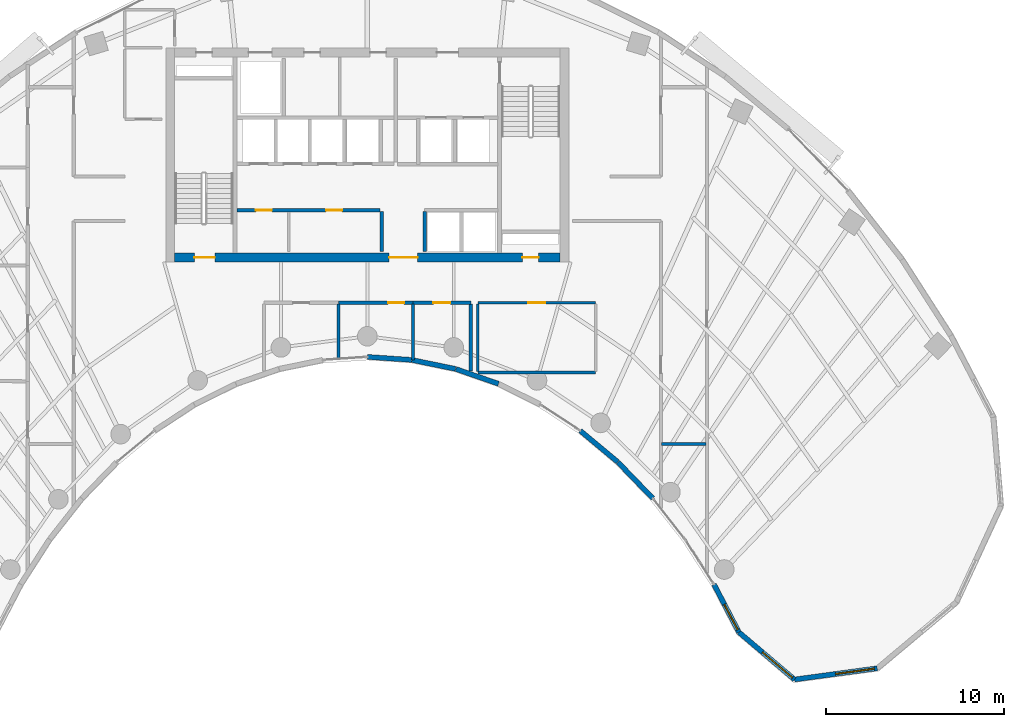
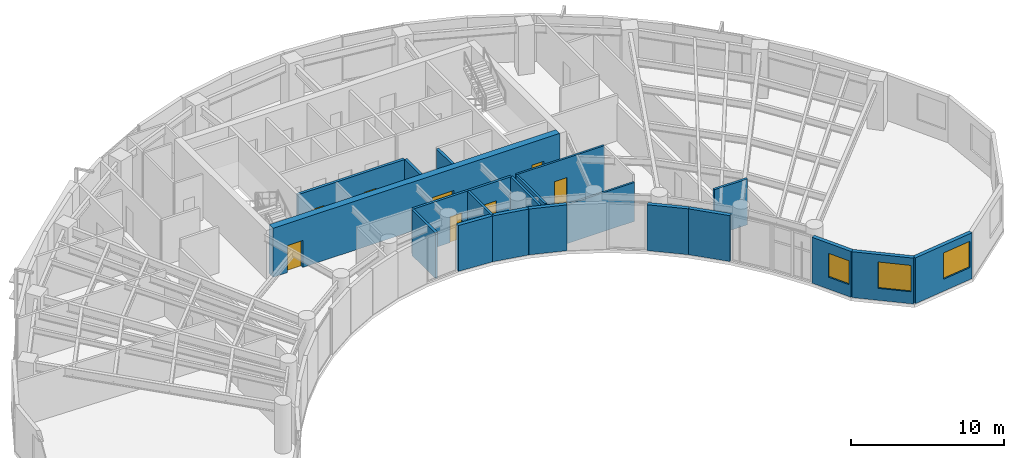
# One storey, part 8 of 13: 21 walls, 8 doors, 3 windows, 11 openings.
"""IFC4 building model written with IfcOpenShell, lengths in metres."""

from ifc_helpers import new_model, si_unit, direction, frame, frame_2d, origin, place, context, subcontext, project, spatial, rectangle, extrude, source, transform, mapped, material, layer, layer_set, type_object, type_shapes, element, fill, save


model = new_model("IFC4")

# Units and contexts
model_context = context("Model", 3, precision=1e-05, world=origin(), true_north=direction((0.0, 1.0)))
body_context = subcontext(model_context, "Body", "Model", "MODEL_VIEW")
ifc_project = project(units=[si_unit("LENGTHUNIT", "METRE"), si_unit("AREAUNIT", "SQUARE_METRE"), si_unit("VOLUMEUNIT", "CUBIC_METRE"), si_unit("PLANEANGLEUNIT", "RADIAN"), si_unit("MASSUNIT", "GRAM", prefix="KILO")], contexts=[model_context])

# Site, building, storey
site_placement = place(None, origin())
site = spatial("IfcSite", under=ifc_project, at=site_placement, CompositionType="ELEMENT")
building_placement = place(site_placement, origin())
building = spatial("IfcBuilding", under=site, at=building_placement, Name="Breltana Convention Tower", CompositionType="ELEMENT")
storey_placement = place(building_placement, frame((0.0, 0.0, 166.199951171875)))
storey = spatial("IfcBuildingStorey", under=building, at=storey_placement, Name="L40", CompositionType="ELEMENT", Elevation=166.199951171875)

# Wall, openings, doors
ifc_material_1 = material(Name="Concrete C60/75", Category="concrete")
ifc_layer_1 = layer(ifc_material_1, 0.5, Name="Concrete C60/75")
ifc_layer_set_1 = layer_set([ifc_layer_1], Name="Concrete C60/75")
wall_type_1 = type_object("IfcWallType", Name="SW-CORE-500", PredefinedType="SHEAR", material=ifc_layer_set_1)
shared_shape_1 = source(origin(), body_context, "Body", "SweptSolid", [
    extrude(rectangle(XDim=21.60009765625, YDim=0.5, at=frame_2d((10.800048828125, 0.0))), origin(), (0.0, 0.0, 1.0), 3.900146484375),
])
wall_1_placement = place(storey_placement, frame((37.199951171875, 60.449951171875, 0.0), z_axis=(0.0, 0.0, 1.0), x_axis=(1.0, 0.0, 0.0)))
wall_1 = element("IfcWall", 1, at=wall_1_placement, inside=storey, type_object=wall_type_1, Name="L40 South Core Shear Wall", PredefinedType="SHEAR", context=body_context, shape_type="MappedRepresentation", body=[
    mapped(shared_shape_1, transform((0.0, 0.0, 0.0), scale=1.0)),
])
opening_1_placement = place(wall_1_placement, frame((1.10009765625, 0.0, 0.0)))
opening_1 = element("IfcOpeningElement", 2, at=opening_1_placement, cuts=wall_1, Name="Opening D-11", PredefinedType="OPENING", context=body_context, shape_type="SweptSolid", body=[
    extrude(rectangle(XDim=1.14990234375, YDim=2.14990234375, at=frame_2d((0.574951171875, 1.074951171875))), frame((0.0, 0.260009765625, 0.0), z_axis=(0.0, -1.0, 0.0), x_axis=(1.0, 0.0, 0.0)), (0.0, 0.0, 1.0), 0.52001953125),
])
opening_2_placement = place(wall_1_placement, frame((19.5, 0.0, 0.0)))
opening_2 = element("IfcOpeningElement", 3, at=opening_2_placement, cuts=wall_1, Name="Opening D-18", PredefinedType="OPENING", context=body_context, shape_type="SweptSolid", body=[
    extrude(rectangle(XDim=0.89990234375, YDim=2.10009765625, at=frame_2d((0.449951171875, 1.050048828125))), frame((0.0, 0.260009765625, 0.0), z_axis=(0.0, -1.0, 0.0), x_axis=(1.0, 0.0, 0.0)), (0.0, 0.0, 1.0), 0.52001953125),
])
opening_3_placement = place(wall_1_placement, frame((12.02001953125, 0.0, 0.0)))
opening_3 = element("IfcOpeningElement", 4, at=opening_3_placement, cuts=wall_1, Name="Opening D-02", PredefinedType="OPENING", context=body_context, shape_type="SweptSolid", body=[
    extrude(rectangle(XDim=1.60009765625, YDim=2.14990234375, at=frame_2d((0.800048828125, 1.074951171875))), frame((0.0, 0.260009765625, 0.0), z_axis=(0.0, -1.0, 0.0), x_axis=(1.0, 0.0, 0.0)), (0.0, 0.0, 1.0), 0.52001953125),
])
ifc_material_2 = material(Name="Steel Stair Exit Door", Category="steel")
door_type_1 = type_object("IfcDoorType", Name="DR-FD120-1150", OperationType="NOTDEFINED", PredefinedType="DOOR", material=ifc_material_2)
shared_shape_2 = source(origin(), body_context, "Body", "SweptSolid", [
    extrude(rectangle(XDim=1.14990234375, YDim=2.14990234375, at=frame_2d((0.574951171875, 1.074951171875))), frame((0.0, 0.02490234375, 0.0), z_axis=(0.0, -1.0, 0.0), x_axis=(1.0, 0.0, 0.0)), (0.0, 0.0, 1.0), 0.050048828125),
])
type_shapes(door_type_1, [shared_shape_2])
door_1_placement = place(opening_1_placement, origin())
door_1 = element("IfcDoor", 5, at=door_1_placement, inside=storey, type_object=door_type_1, Name="L40 interior door D-L40-ST1", OperationType="SINGLE_SWING_LEFT", OverallHeight=2.14990234375, OverallWidth=1.14990234375, PredefinedType="DOOR", context=body_context, shape_type="MappedRepresentation", body=[
    mapped(shared_shape_2, transform((0.0, 0.0, 0.0), scale=1.0)),
])
fill(opening_1, door_1)
ifc_material_3 = material(Name="Steel Riser Fire Door", Category="steel")
door_type_2 = type_object("IfcDoorType", Name="DR-FD60-900", OperationType="NOTDEFINED", PredefinedType="DOOR", material=ifc_material_3)
shared_shape_3 = source(origin(), body_context, "Body", "SweptSolid", [
    extrude(rectangle(XDim=0.89990234375, YDim=2.10009765625, at=frame_2d((0.449951171875, 1.050048828125))), frame((0.0, 0.02490234375, 0.0), z_axis=(0.0, -1.0, 0.0), x_axis=(1.0, 0.0, 0.0)), (0.0, 0.0, 1.0), 0.050048828125),
])
type_shapes(door_type_2, [shared_shape_3])
door_2_placement = place(opening_2_placement, origin())
door_2 = element("IfcDoor", 6, at=door_2_placement, inside=storey, type_object=door_type_2, Name="L40 Core Riser Access Door D-L40-RS2", OperationType="SINGLE_SWING_RIGHT", OverallHeight=2.10009765625, OverallWidth=0.89990234375, PredefinedType="DOOR", context=body_context, shape_type="MappedRepresentation", body=[
    mapped(shared_shape_3, transform((0.0, 0.0, 0.0), scale=1.0)),
])
fill(opening_2, door_2)
ifc_material_4 = material(Name="Steel Glazed Smoke-Control Door", Category="steel")
door_type_3 = type_object("IfcDoorType", Name="DR-DBL-FD90-1600", OperationType="DOUBLE_DOOR_SINGLE_SWING", PredefinedType="DOOR", material=ifc_material_4)
shared_shape_4 = source(origin(), body_context, "Body", "SweptSolid", [
    extrude(rectangle(XDim=1.60009765625, YDim=2.14990234375, at=frame_2d((0.800048828125, 1.074951171875))), frame((0.0, 0.02490234375, 0.0), z_axis=(0.0, -1.0, 0.0), x_axis=(1.0, 0.0, 0.0)), (0.0, 0.0, 1.0), 0.050048828125),
])
type_shapes(door_type_3, [shared_shape_4])
door_3_placement = place(opening_3_placement, origin())
door_3 = element("IfcDoor", 7, at=door_3_placement, inside=storey, type_object=door_type_3, Name="L40 interior door D-L40-LLB-S", OperationType="DOUBLE_DOOR_SINGLE_SWING", OverallHeight=2.14990234375, OverallWidth=1.60009765625, PredefinedType="DOOR", context=body_context, shape_type="MappedRepresentation", body=[
    mapped(shared_shape_4, transform((0.0, 0.0, 0.0), scale=1.0)),
])
fill(opening_3, door_3)

# Wall, opening, window
ifc_material_5 = material(Name="Limestone Buff Insulated Wall", Category="masonry")
ifc_layer_2 = layer(ifc_material_5, 0.280029296875, Name="Limestone Buff Insulated Wall")
ifc_layer_set_2 = layer_set([ifc_layer_2], Name="Limestone Buff Insulated Wall")
wall_type_2 = type_object("IfcWallType", Name="WL-EXT-NOSE-280", PredefinedType="SOLIDWALL", material=ifc_layer_set_2)
shared_shape_5 = source(origin(), body_context, "Body", "SweptSolid", [
    extrude(rectangle(XDim=4.680419921875, YDim=0.280029296875, at=frame_2d((2.34033203125, 0.0))), origin(), (0.0, 0.0, 1.0), 3.650146484375),
])
wall_2_placement = place(storey_placement, frame((76.594482421875, 37.41650390625, 0.0), z_axis=(0.0, 0.0, 1.0), x_axis=(-0.990931146435, -0.134370618162, 0.0)))
wall_2 = element("IfcWall", 8, at=wall_2_placement, inside=storey, type_object=wall_type_2, Name="L40 curved limestone nose wall E4", PredefinedType="SOLIDWALL", context=body_context, shape_type="MappedRepresentation", body=[
    mapped(shared_shape_5, transform((0.0, 0.0, 0.0), scale=1.0)),
])
opening_4_placement = place(wall_2_placement, frame((0.159912109375, 0.0, 0.949951171875)))
opening_4 = element("IfcOpeningElement", 9, at=opening_4_placement, cuts=wall_2, Name="Opening W-03", PredefinedType="OPENING", context=body_context, shape_type="SweptSolid", body=[
    extrude(rectangle(XDim=2.199951171875, YDim=2.10009765625, at=frame_2d((1.10009765625, 1.050048828125))), frame((0.0, 0.14990234375, 0.0), z_axis=(0.0, -1.0, 0.0), x_axis=(1.0, 0.0, 0.0)), (0.0, 0.0, 1.0), 0.300048828125),
])
ifc_material_6 = material(Name="Glass Low-E Insulated Window", Category="glass")
window_type_1 = type_object("IfcWindowType", Name="WN-NOSE-2200X2100", PartitioningType="TRIPLE_PANEL_VERTICAL", PredefinedType="WINDOW", material=ifc_material_6)
shared_shape_6 = source(origin(), body_context, "Body", "SweptSolid", [
    extrude(rectangle(XDim=2.199951171875, YDim=2.10009765625, at=frame_2d((1.10009765625, 1.050048828125))), frame((0.0, 0.030029296875, 0.0), z_axis=(0.0, -1.0, 0.0), x_axis=(1.0, 0.0, 0.0)), (0.0, 0.0, 1.0), 0.06005859375),
])
type_shapes(window_type_1, [shared_shape_6])
window_1_placement = place(opening_4_placement, origin())
window_1 = element("IfcWindow", 10, at=window_1_placement, inside=storey, type_object=window_type_1, Name="L40 nose window E4", OverallHeight=2.10009765625, OverallWidth=2.199951171875, PartitioningType="TRIPLE_PANEL_VERTICAL", PredefinedType="WINDOW", context=body_context, shape_type="MappedRepresentation", body=[
    mapped(shared_shape_6, transform((0.0, 0.0, 0.0), scale=1.0)),
])
fill(opening_4, window_1)

shared_shape_7 = source(origin(), body_context, "Body", "SweptSolid", [
    extrude(rectangle(XDim=4.095947265625, YDim=0.280029296875, at=frame_2d((2.0478515625, 0.0))), origin(), (0.0, 0.0, 1.0), 3.650146484375),
])
wall_3_placement = place(storey_placement, frame((71.95654296875, 36.78759765625, 0.0), z_axis=(0.0, 0.0, 1.0), x_axis=(-0.761926081737, 0.647663991564, 0.0)))
wall_3 = element("IfcWall", 11, at=wall_3_placement, inside=storey, type_object=wall_type_2, Name="L40 curved limestone nose wall E5", PredefinedType="SOLIDWALL", context=body_context, shape_type="MappedRepresentation", body=[
    mapped(shared_shape_7, transform((0.0, 0.0, 0.0), scale=1.0)),
])
opening_5_placement = place(wall_3_placement, frame((0.159912109375, 0.0, 0.949951171875)))
opening_5 = element("IfcOpeningElement", 12, at=opening_5_placement, cuts=wall_3, Name="Opening W-03", PredefinedType="OPENING", context=body_context, shape_type="SweptSolid", body=[
    extrude(rectangle(XDim=2.199951171875, YDim=2.10009765625, at=frame_2d((1.10009765625, 1.050048828125))), frame((0.0, 0.14990234375, 0.0), z_axis=(0.0, -1.0, 0.0), x_axis=(1.0, 0.0, 0.0)), (0.0, 0.0, 1.0), 0.300048828125),
])
window_2_placement = place(opening_5_placement, origin())
window_2 = element("IfcWindow", 13, at=window_2_placement, inside=storey, type_object=window_type_1, Name="L40 nose window E5", OverallHeight=2.10009765625, OverallWidth=2.199951171875, PartitioningType="TRIPLE_PANEL_VERTICAL", PredefinedType="WINDOW", context=body_context, shape_type="MappedRepresentation", body=[
    mapped(shared_shape_6, transform((0.0, 0.0, 0.0), scale=1.0)),
])
fill(opening_5, window_2)

shared_shape_8 = source(origin(), body_context, "Body", "SweptSolid", [
    extrude(rectangle(XDim=3.02392578125, YDim=0.280029296875, at=frame_2d((1.511962890625, 0.0))), origin(), (0.0, 0.0, 1.0), 3.650146484375),
])
wall_4_placement = place(storey_placement, frame((68.835693359375, 39.4404296875, 0.0), z_axis=(0.0, 0.0, 1.0), x_axis=(-0.461718746531, 0.887026380161, 0.0)))
wall_4 = element("IfcWall", 14, at=wall_4_placement, inside=storey, type_object=wall_type_2, Name="L40 curved limestone nose wall E6", PredefinedType="SOLIDWALL", context=body_context, shape_type="MappedRepresentation", body=[
    mapped(shared_shape_8, transform((0.0, 0.0, 0.0), scale=1.0)),
])
opening_6_placement = place(wall_4_placement, frame((0.159912109375, 0.0, 0.949951171875)))
opening_6 = element("IfcOpeningElement", 15, at=opening_6_placement, cuts=wall_4, Name="Opening W-04", PredefinedType="OPENING", context=body_context, shape_type="SweptSolid", body=[
    extrude(rectangle(XDim=1.60009765625, YDim=1.89990234375, at=frame_2d((0.800048828125, 0.949951171875))), frame((0.0, 0.14990234375, 0.0), z_axis=(0.0, -1.0, 0.0), x_axis=(1.0, 0.0, 0.0)), (0.0, 0.0, 1.0), 0.300048828125),
])
window_type_2 = type_object("IfcWindowType", Name="WN-NOSE-1600X1900", PartitioningType="SINGLE_PANEL", PredefinedType="WINDOW", material=ifc_material_6)
shared_shape_9 = source(origin(), body_context, "Body", "SweptSolid", [
    extrude(rectangle(XDim=1.60009765625, YDim=1.89990234375, at=frame_2d((0.800048828125, 0.949951171875))), frame((0.0, 0.030029296875, 0.0), z_axis=(0.0, -1.0, 0.0), x_axis=(1.0, 0.0, 0.0)), (0.0, 0.0, 1.0), 0.06005859375),
])
type_shapes(window_type_2, [shared_shape_9])
window_3_placement = place(opening_6_placement, origin())
window_3 = element("IfcWindow", 16, at=window_3_placement, inside=storey, type_object=window_type_2, Name="L40 nose window E6", OverallHeight=1.89990234375, OverallWidth=1.60009765625, PartitioningType="SINGLE_PANEL", PredefinedType="WINDOW", context=body_context, shape_type="MappedRepresentation", body=[
    mapped(shared_shape_9, transform((0.0, 0.0, 0.0), scale=1.0)),
])
fill(opening_6, window_3)

# Walls
shared_shape_10 = source(origin(), body_context, "Body", "SweptSolid", [
    extrude(rectangle(XDim=2.812255859375, YDim=0.280029296875, at=frame_2d((1.40625, 0.0))), origin(), (0.0, 0.0, 1.0), 3.650146484375),
])
wall_5_placement = place(storey_placement, frame((64.00830078125, 46.9501953125, 0.0), z_axis=(0.0, 0.0, 1.0), x_axis=(-0.694583668785, 0.719411931411, 0.0)))
element("IfcWall", 17, at=wall_5_placement, inside=storey, type_object=wall_type_2, Name="L40 curved limestone nose wall E7", PredefinedType="SOLIDWALL", context=body_context, shape_type="MappedRepresentation", body=[
    mapped(shared_shape_10, transform((0.0, 0.0, 0.0), scale=1.0)),
])
shared_shape_11 = source(origin(), body_context, "Body", "SweptSolid", [
    extrude(rectangle(XDim=2.7294921875, YDim=0.280029296875, at=frame_2d((1.36474609375, 0.0))), origin(), (0.0, 0.0, 1.0), 3.650146484375),
])
wall_6_placement = place(storey_placement, frame((62.040771484375, 48.986572265625, 0.0), z_axis=(0.0, 0.0, 1.0), x_axis=(-0.767957284255, 0.640501061326, 0.0)))
element("IfcWall", 18, at=wall_6_placement, inside=storey, type_object=wall_type_2, Name="L40 curved limestone nose wall E8", PredefinedType="SOLIDWALL", context=body_context, shape_type="MappedRepresentation", body=[
    mapped(shared_shape_11, transform((0.0, 0.0, 0.0), scale=1.0)),
])
shared_shape_12 = source(origin(), body_context, "Body", "SweptSolid", [
    extrude(rectangle(XDim=2.52978515625, YDim=0.280029296875, at=frame_2d((1.264892578125, 0.0))), origin(), (0.0, 0.0, 1.0), 3.650146484375),
])
wall_7_placement = place(storey_placement, frame((55.35546875, 53.369873046875, 0.0), z_axis=(0.0, 0.0, 1.0), x_axis=(-0.944872429646, 0.327438683872, 0.0)))
element("IfcWall", 19, at=wall_7_placement, inside=storey, type_object=wall_type_2, Name="L40 curved limestone nose wall E10", PredefinedType="SOLIDWALL", context=body_context, shape_type="MappedRepresentation", body=[
    mapped(shared_shape_12, transform((0.0, 0.0, 0.0), scale=1.0)),
])
shared_shape_13 = source(origin(), body_context, "Body", "SweptSolid", [
    extrude(rectangle(XDim=2.4912109375, YDim=0.280029296875, at=frame_2d((1.24560546875, 0.0))), origin(), (0.0, 0.0, 1.0), 3.650146484375),
])
wall_8_placement = place(storey_placement, frame((52.9423828125, 54.20458984375, 0.0), z_axis=(0.0, 0.0, 1.0), x_axis=(-0.979630885979, 0.200806691214, 0.0)))
element("IfcWall", 20, at=wall_8_placement, inside=storey, type_object=wall_type_2, Name="L40 curved limestone nose wall E11", PredefinedType="SOLIDWALL", context=body_context, shape_type="MappedRepresentation", body=[
    mapped(shared_shape_13, transform((0.0, 0.0, 0.0), scale=1.0)),
])
shared_shape_14 = source(origin(), body_context, "Body", "SweptSolid", [
    extrude(rectangle(XDim=2.471435546875, YDim=0.280029296875, at=frame_2d((1.23583984375, 0.0))), origin(), (0.0, 0.0, 1.0), 3.650146484375),
])
wall_9_placement = place(storey_placement, frame((50.47802734375, 54.708251953125, 0.0), z_axis=(0.0, 0.0, 1.0), x_axis=(-0.997708006929, 0.067666335123, 0.0)))
element("IfcWall", 21, at=wall_9_placement, inside=storey, type_object=wall_type_2, Name="L40 curved limestone nose wall E12", PredefinedType="SOLIDWALL", context=body_context, shape_type="MappedRepresentation", body=[
    mapped(shared_shape_14, transform((0.0, 0.0, 0.0), scale=1.0)),
])
ifc_material_7 = material(Name="Gypsum Acoustic Drywall Partition")
ifc_layer_3 = layer(ifc_material_7, 0.14990234375, Name="Gypsum Acoustic Drywall Partition")
ifc_layer_set_3 = layer_set([ifc_layer_3], Name="Gypsum Acoustic Drywall Partition")
wall_type_3 = type_object("IfcWallType", Name="WL-PART-150", PredefinedType="PARTITIONING", material=ifc_layer_set_3)
shared_shape_15 = source(origin(), body_context, "Body", "SweptSolid", [
    extrude(rectangle(XDim=6.60009765625, YDim=0.14990234375, at=frame_2d((3.300048828125, 0.0))), origin(), (0.0, 0.0, 1.0), 3.094970703125),
])
wall_10_placement = place(storey_placement, frame((54.199951171875, 54.0, 0.0), z_axis=(0.0, 0.0, 1.0), x_axis=(1.0, 0.0, 0.0)))
element("IfcWall", 22, at=wall_10_placement, inside=storey, type_object=wall_type_3, Name="L40 interior partition W-L40-PNT-S", PredefinedType="PARTITIONING", context=body_context, shape_type="MappedRepresentation", body=[
    mapped(shared_shape_15, transform((0.0, 0.0, 0.0), scale=1.0)),
])
ifc_material_8 = material(Name="Autoclaved Aerated Concrete Block", Category="concrete")
ifc_layer_4 = layer(ifc_material_8, 0.199951171875, Name="Autoclaved Aerated Concrete Block")
ifc_layer_set_4 = layer_set([ifc_layer_4], Name="Autoclaved Aerated Concrete Block")
wall_type_4 = type_object("IfcWallType", Name="WL-SHAFT-200", PredefinedType="SOLIDWALL", material=ifc_layer_set_4)
shared_shape_16 = source(origin(), body_context, "Body", "SweptSolid", [
    extrude(rectangle(XDim=2.239990234375, YDim=0.199951171875, at=frame_2d((1.1201171875, 0.0))), origin(), (0.0, 0.0, 1.0), 3.650146484375),
])
for number, where, z_axis, x_axis, name in (
    (23, (48.820068359375, 60.780029296875, 0.0), (0.0, 0.0, 1.0), (0.0, 1.0, 0.0), "L40 interior partition W-L40-PORT-W"),
    (24, (51.219970703125, 60.780029296875, 0.0), (0.0, 0.0, 1.0), (0.0, 1.0, 0.0), "L40 interior partition W-L40-PORT-E"),
):
    element("IfcWall", number, at=place(storey_placement, frame(where, z_axis=z_axis, x_axis=x_axis)), inside=storey, type_object=wall_type_4, Name=name, PredefinedType="SOLIDWALL", context=body_context, shape_type="MappedRepresentation", body=[
        mapped(shared_shape_16, transform((0.0, 0.0, 0.0), scale=1.0)),
    ])

# Wall, openings, doors
shared_shape_17 = source(origin(), body_context, "Body", "SweptSolid", [
    extrude(rectangle(XDim=8.02001953125, YDim=0.199951171875, at=frame_2d((4.010009765625, 0.0))), origin(), (0.0, 0.0, 1.0), 3.650146484375),
])
wall_11_placement = place(storey_placement, frame((40.699951171875, 63.10009765625, 0.0), z_axis=(0.0, 0.0, 1.0), x_axis=(1.0, 0.0, 0.0)))
wall_11 = element("IfcWall", 25, at=wall_11_placement, inside=storey, type_object=wall_type_4, Name="L40 interior partition W-L40-SH-S-FRONT", PredefinedType="SOLIDWALL", context=body_context, shape_type="MappedRepresentation", body=[
    mapped(shared_shape_17, transform((0.0, 0.0, 0.0), scale=1.0)),
])
opening_7_placement = place(wall_11_placement, frame((1.050048828125, 0.0, 0.0)))
opening_7 = element("IfcOpeningElement", 26, at=opening_7_placement, cuts=wall_11, Name="Opening D-18", PredefinedType="OPENING", context=body_context, shape_type="SweptSolid", body=[
    extrude(rectangle(XDim=0.89990234375, YDim=2.10009765625, at=frame_2d((0.449951171875, 1.050048828125))), frame((0.0, 0.10986328125, 0.0), z_axis=(0.0, -1.0, 0.0), x_axis=(1.0, 0.0, 0.0)), (0.0, 0.0, 1.0), 0.219970703125),
])
opening_8_placement = place(wall_11_placement, frame((4.989990234375, 0.0, 0.0)))
opening_8 = element("IfcOpeningElement", 27, at=opening_8_placement, cuts=wall_11, Name="Opening D-18", PredefinedType="OPENING", context=body_context, shape_type="SweptSolid", body=[
    extrude(rectangle(XDim=0.89990234375, YDim=2.10009765625, at=frame_2d((0.449951171875, 1.050048828125))), frame((0.0, 0.10986328125, 0.0), z_axis=(0.0, -1.0, 0.0), x_axis=(1.0, 0.0, 0.0)), (0.0, 0.0, 1.0), 0.219970703125),
])
door_4_placement = place(opening_7_placement, origin())
door_4 = element("IfcDoor", 28, at=door_4_placement, inside=storey, type_object=door_type_2, Name="L40 interior door D-L40-LV7-B1A", OperationType="SINGLE_SWING_RIGHT", OverallHeight=2.10009765625, OverallWidth=0.89990234375, PredefinedType="DOOR", context=body_context, shape_type="MappedRepresentation", body=[
    mapped(shared_shape_3, transform((0.0, 0.0, 0.0), scale=1.0)),
])
fill(opening_7, door_4)
door_5_placement = place(opening_8_placement, origin())
door_5 = element("IfcDoor", 29, at=door_5_placement, inside=storey, type_object=door_type_2, Name="L40 interior door D-L40-LV7-B1B", OperationType="SINGLE_SWING_LEFT", OverallHeight=2.10009765625, OverallWidth=0.89990234375, PredefinedType="DOOR", context=body_context, shape_type="MappedRepresentation", body=[
    mapped(shared_shape_3, transform((0.0, 0.0, 0.0), scale=1.0)),
])
fill(opening_8, door_5)

# Wall, opening, door
ifc_material_9 = material(Name="Moisture-Resistant Gypsum Chase Wall")
ifc_layer_5 = layer(ifc_material_9, 0.179931640625, Name="Moisture-Resistant Gypsum Chase Wall")
ifc_layer_set_5 = layer_set([ifc_layer_5], Name="Moisture-Resistant Gypsum Chase Wall")
wall_type_5 = type_object("IfcWallType", Name="WL-PLUMB-180", PredefinedType="PLUMBINGWALL", material=ifc_layer_set_5)
shared_shape_18 = source(origin(), body_context, "Body", "SweptSolid", [
    extrude(rectangle(XDim=4.176025390625, YDim=0.179931640625, at=frame_2d((2.087890625, 0.0))), origin(), (0.0, 0.0, 1.0), 3.650146484375),
])
wall_12_placement = place(storey_placement, frame((46.3759765625, 57.919921875, 0.0), z_axis=(0.0, 0.0, 1.0), x_axis=(1.0, 0.0, 0.0)))
wall_12 = element("IfcWall", 30, at=wall_12_placement, inside=storey, type_object=wall_type_5, Name="L40 interior partition W-L40-WCF-N", PredefinedType="PLUMBINGWALL", context=body_context, shape_type="MappedRepresentation", body=[
    mapped(shared_shape_18, transform((0.0, 0.0, 0.0), scale=1.0)),
])
opening_9_placement = place(wall_12_placement, frame((2.7880859375, 0.0, 0.0)))
opening_9 = element("IfcOpeningElement", 31, at=opening_9_placement, cuts=wall_12, Name="Opening D-19", PredefinedType="OPENING", context=body_context, shape_type="SweptSolid", body=[
    extrude(rectangle(XDim=0.89990234375, YDim=2.080078125, at=frame_2d((0.449951171875, 1.0400390625))), frame((0.0, 0.10009765625, 0.0), z_axis=(0.0, -1.0, 0.0), x_axis=(1.0, 0.0, 0.0)), (0.0, 0.0, 1.0), 0.199951171875),
])
ifc_material_10 = material(Name="Timber Moisture-Resistant Door", Category="wood")
door_type_4 = type_object("IfcDoorType", Name="DR-WC-900", OperationType="NOTDEFINED", PredefinedType="DOOR", material=ifc_material_10)
shared_shape_19 = source(origin(), body_context, "Body", "SweptSolid", [
    extrude(rectangle(XDim=0.89990234375, YDim=2.080078125, at=frame_2d((0.449951171875, 1.0400390625))), frame((0.0, 0.02490234375, 0.0), z_axis=(0.0, -1.0, 0.0), x_axis=(1.0, 0.0, 0.0)), (0.0, 0.0, 1.0), 0.050048828125),
])
type_shapes(door_type_4, [shared_shape_19])
door_6_placement = place(opening_9_placement, origin())
door_6 = element("IfcDoor", 32, at=door_6_placement, inside=storey, type_object=door_type_4, Name="L40 interior door D-L40-WCF", OperationType="SINGLE_SWING_LEFT", OverallHeight=2.080078125, OverallWidth=0.89990234375, PredefinedType="DOOR", context=body_context, shape_type="MappedRepresentation", body=[
    mapped(shared_shape_19, transform((0.0, 0.0, 0.0), scale=1.0)),
])
fill(opening_9, door_6)

# Wall
ifc_material_11 = material(Name="Cement Board Wet-Area Partition")
ifc_layer_6 = layer(ifc_material_11, 0.175048828125, Name="Cement Board Wet-Area Partition")
ifc_layer_set_6 = layer_set([ifc_layer_6], Name="Cement Board Wet-Area Partition")
wall_type_6 = type_object("IfcWallType", Name="WL-WET-175", PredefinedType="PARTITIONING", material=ifc_layer_set_6)
shared_shape_20 = source(origin(), body_context, "Body", "SweptSolid", [
    extrude(rectangle(XDim=3.7626953125, YDim=0.175048828125, at=frame_2d((1.88134765625, 0.0))), origin(), (0.0, 0.0, 1.0), 3.650146484375),
])
wall_13_placement = place(storey_placement, frame((53.800048828125, 54.07861328125, 0.0), z_axis=(0.0, 0.0, 1.0), x_axis=(0.0, 1.0, 0.0)))
element("IfcWall", 33, at=wall_13_placement, inside=storey, type_object=wall_type_6, Name="L40 interior partition W-L40-WCA-E", PredefinedType="PARTITIONING", context=body_context, shape_type="MappedRepresentation", body=[
    mapped(shared_shape_20, transform((0.0, 0.0, 0.0), scale=1.0)),
])

# Wall, opening, door
shared_shape_21 = source(origin(), body_context, "Body", "SweptSolid", [
    extrude(rectangle(XDim=3.248046875, YDim=0.179931640625, at=frame_2d((1.6240234375, 0.0))), origin(), (0.0, 0.0, 1.0), 3.650146484375),
])
wall_14_placement = place(storey_placement, frame((50.552001953125, 57.919921875, 0.0), z_axis=(0.0, 0.0, 1.0), x_axis=(1.0, 0.0, 0.0)))
wall_14 = element("IfcWall", 34, at=wall_14_placement, inside=storey, type_object=wall_type_5, Name="L40 interior partition W-L40-WCA-N", PredefinedType="PLUMBINGWALL", context=body_context, shape_type="MappedRepresentation", body=[
    mapped(shared_shape_21, transform((0.0, 0.0, 0.0), scale=1.0)),
])
opening_10_placement = place(wall_14_placement, frame((1.14892578125, 0.0, 0.0)))
opening_10 = element("IfcOpeningElement", 35, at=opening_10_placement, cuts=wall_14, Name="Opening D-16", PredefinedType="OPENING", context=body_context, shape_type="SweptSolid", body=[
    extrude(rectangle(XDim=0.949951171875, YDim=2.1201171875, at=frame_2d((0.47509765625, 1.06005859375))), frame((0.0, 0.10009765625, 0.0), z_axis=(0.0, -1.0, 0.0), x_axis=(1.0, 0.0, 0.0)), (0.0, 0.0, 1.0), 0.199951171875),
])
ifc_material_12 = material(Name="Timber Laminate Accessible Door", Category="wood")
door_type_5 = type_object("IfcDoorType", Name="DR-ACC-950", OperationType="NOTDEFINED", PredefinedType="DOOR", material=ifc_material_12)
shared_shape_22 = source(origin(), body_context, "Body", "SweptSolid", [
    extrude(rectangle(XDim=0.949951171875, YDim=2.1201171875, at=frame_2d((0.47509765625, 1.06005859375))), frame((0.0, 0.02490234375, 0.0), z_axis=(0.0, -1.0, 0.0), x_axis=(1.0, 0.0, 0.0)), (0.0, 0.0, 1.0), 0.050048828125),
])
type_shapes(door_type_5, [shared_shape_22])
door_7_placement = place(opening_10_placement, origin())
door_7 = element("IfcDoor", 36, at=door_7_placement, inside=storey, type_object=door_type_5, Name="L40 interior door D-L40-WCA", OperationType="SINGLE_SWING_RIGHT", OverallHeight=2.1201171875, OverallWidth=0.949951171875, PredefinedType="DOOR", context=body_context, shape_type="MappedRepresentation", body=[
    mapped(shared_shape_22, transform((0.0, 0.0, 0.0), scale=1.0)),
])
fill(opening_10, door_7)

shared_shape_23 = source(origin(), body_context, "Body", "SweptSolid", [
    extrude(rectangle(XDim=6.60009765625, YDim=0.14990234375, at=frame_2d((3.300048828125, 0.0))), origin(), (0.0, 0.0, 1.0), 3.650146484375),
])
wall_15_placement = place(storey_placement, frame((54.199951171875, 57.919921875, 0.0), z_axis=(0.0, 0.0, 1.0), x_axis=(1.0, 0.0, 0.0)))
wall_15 = element("IfcWall", 37, at=wall_15_placement, inside=storey, type_object=wall_type_3, Name="L40 interior partition W-L40-PNT-N", PredefinedType="PARTITIONING", context=body_context, shape_type="MappedRepresentation", body=[
    mapped(shared_shape_23, transform((0.0, 0.0, 0.0), scale=1.0)),
])
opening_11_placement = place(wall_15_placement, frame((2.824951171875, 0.0, 0.0)))
opening_11 = element("IfcOpeningElement", 38, at=opening_11_placement, cuts=wall_15, Name="Opening D-17", PredefinedType="OPENING", context=body_context, shape_type="SweptSolid", body=[
    extrude(rectangle(XDim=0.949951171875, YDim=2.10009765625, at=frame_2d((0.47509765625, 1.050048828125))), frame((0.0, 0.0849609375, 0.0), z_axis=(0.0, -1.0, 0.0), x_axis=(1.0, 0.0, 0.0)), (0.0, 0.0, 1.0), 0.169921875),
])
ifc_material_13 = material(Name="Timber Oak Veneer Door", Category="wood")
door_type_6 = type_object("IfcDoorType", Name="DR-INT-950", OperationType="NOTDEFINED", PredefinedType="DOOR", material=ifc_material_13)
shared_shape_24 = source(origin(), body_context, "Body", "SweptSolid", [
    extrude(rectangle(XDim=0.949951171875, YDim=2.10009765625, at=frame_2d((0.47509765625, 1.050048828125))), frame((0.0, 0.02490234375, 0.0), z_axis=(0.0, -1.0, 0.0), x_axis=(1.0, 0.0, 0.0)), (0.0, 0.0, 1.0), 0.050048828125),
])
type_shapes(door_type_6, [shared_shape_24])
door_8_placement = place(opening_11_placement, origin())
door_8 = element("IfcDoor", 39, at=door_8_placement, inside=storey, type_object=door_type_6, Name="L40 interior door D-L40-PNT", OperationType="SINGLE_SWING_LEFT", OverallHeight=2.10009765625, OverallWidth=0.949951171875, PredefinedType="DOOR", context=body_context, shape_type="MappedRepresentation", body=[
    mapped(shared_shape_24, transform((0.0, 0.0, 0.0), scale=1.0)),
])
fill(opening_11, door_8)

# Walls
shared_shape_25 = source(origin(), body_context, "Body", "SweptSolid", [
    extrude(rectangle(XDim=3.78515625, YDim=0.14990234375, at=frame_2d((1.892578125, 0.0))), origin(), (0.0, 0.0, 1.0), 3.650146484375),
])
wall_16_placement = place(storey_placement, frame((54.199951171875, 54.0673828125, 0.0), z_axis=(0.0, 0.0, 1.0), x_axis=(0.0, 1.0, 0.0)))
element("IfcWall", 40, at=wall_16_placement, inside=storey, type_object=wall_type_3, Name="L40 interior partition W-L40-PNT-W", PredefinedType="PARTITIONING", context=body_context, shape_type="MappedRepresentation", body=[
    mapped(shared_shape_25, transform((0.0, 0.0, 0.0), scale=1.0)),
])
shared_shape_26 = source(origin(), body_context, "Body", "SweptSolid", [
    extrude(rectangle(XDim=3.065185546875, YDim=0.175048828125, at=frame_2d((1.53271484375, 0.0))), origin(), (0.0, 0.0, 1.0), 3.650146484375),
])
wall_17_placement = place(storey_placement, frame((46.3759765625, 54.776123046875, 0.0), z_axis=(0.0, 0.0, 1.0), x_axis=(0.0, 1.0, 0.0)))
element("IfcWall", 41, at=wall_17_placement, inside=storey, type_object=wall_type_6, Name="L40 interior partition W-L40-WCM-E", PredefinedType="PARTITIONING", context=body_context, shape_type="MappedRepresentation", body=[
    mapped(shared_shape_26, transform((0.0, 0.0, 0.0), scale=1.0)),
])
shared_shape_27 = source(origin(), body_context, "Body", "SweptSolid", [
    extrude(rectangle(XDim=3.136474609375, YDim=0.175048828125, at=frame_2d((1.568359375, 0.0))), origin(), (0.0, 0.0, 1.0), 3.650146484375),
])
wall_18_placement = place(storey_placement, frame((50.552001953125, 54.704833984375, 0.0), z_axis=(0.0, 0.0, 1.0), x_axis=(0.0, 1.0, 0.0)))
element("IfcWall", 42, at=wall_18_placement, inside=storey, type_object=wall_type_6, Name="L40 interior partition W-L40-WCF-E", PredefinedType="PARTITIONING", context=body_context, shape_type="MappedRepresentation", body=[
    mapped(shared_shape_27, transform((0.0, 0.0, 0.0), scale=1.0)),
])
shared_shape_28 = source(origin(), body_context, "Body", "SweptSolid", [
    extrude(rectangle(XDim=2.5, YDim=0.179931640625, at=frame_2d((1.25, 0.0))), origin(), (0.0, 0.0, 1.0), 3.650146484375),
])
wall_19_placement = place(storey_placement, frame((64.5, 50.0, 0.0), z_axis=(0.0, 0.0, 1.0), x_axis=(1.0, 0.0, 0.0)))
element("IfcWall", 43, at=wall_19_placement, inside=storey, type_object=wall_type_5, Name="L40 interior partition W-L40-CORNE-S", PredefinedType="PLUMBINGWALL", context=body_context, shape_type="MappedRepresentation", body=[
    mapped(shared_shape_28, transform((0.0, 0.0, 0.0), scale=1.0)),
])

save(model, "model.ifc")
